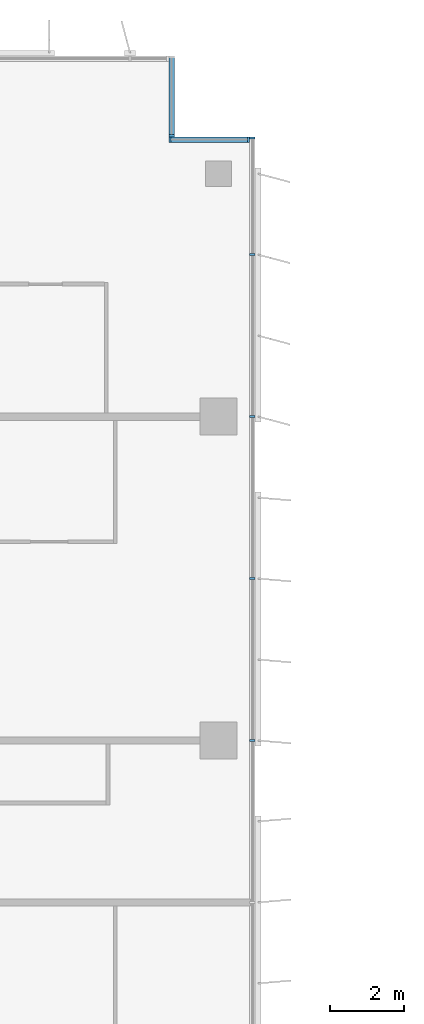
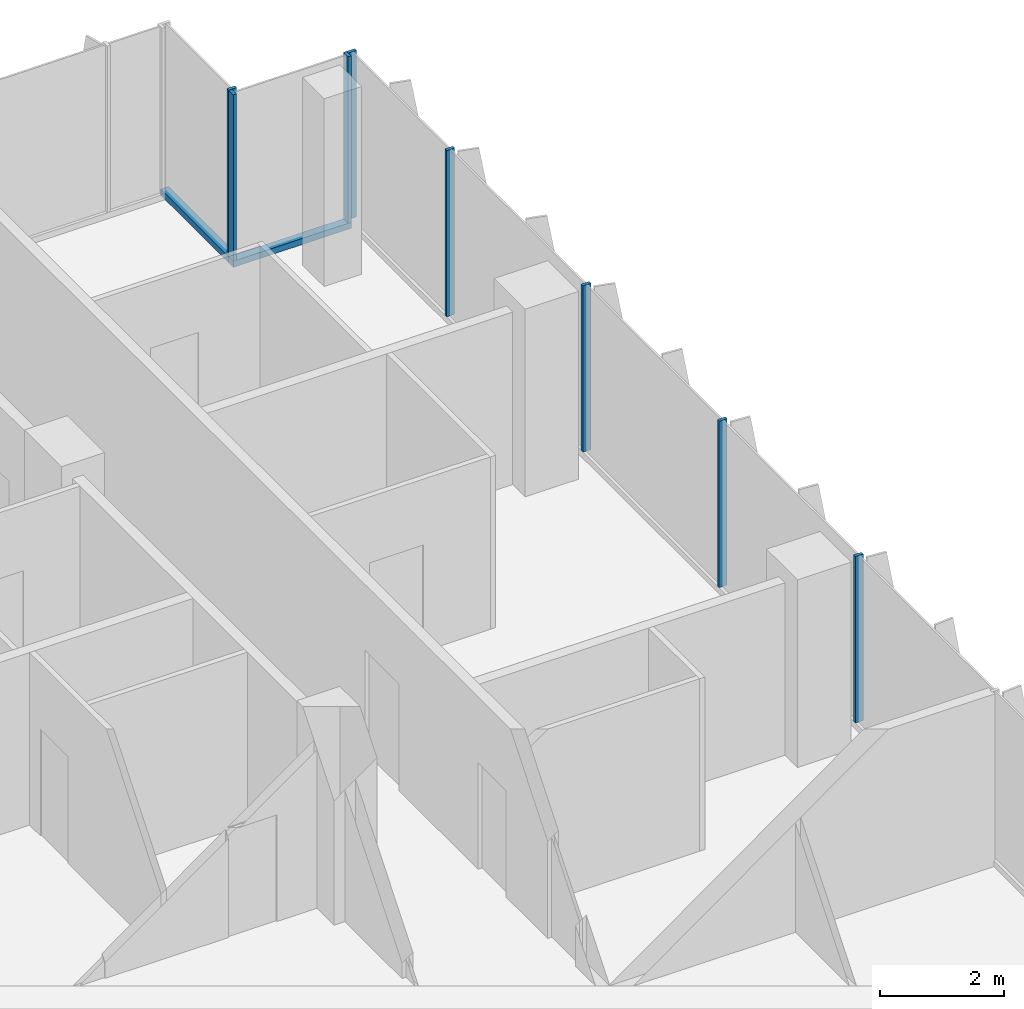
# One storey, part 7 of 21: 10 members, 3 elements without a shape of their own.
"""IFC4 building model written with IfcOpenShell, lengths in metres."""

from ifc_helpers import new_model, si_unit, direction, frame, origin, origin_2d, place, context, subcontext, project, spatial, rectangle, extrude, source, transform, mapped, material, material_profile, profile_set, type_object, element, aggregate, save


model = new_model("IFC4")

# Units and contexts
model_context = context("Model", 3, precision=1e-05, world=origin(), true_north=direction((0.0, 1.0)))
body_context = subcontext(model_context, "Body", "Model", "MODEL_VIEW")
ifc_project = project(units=[si_unit("LENGTHUNIT", "METRE"), si_unit("AREAUNIT", "SQUARE_METRE"), si_unit("VOLUMEUNIT", "CUBIC_METRE"), si_unit("PLANEANGLEUNIT", "RADIAN"), si_unit("MASSUNIT", "GRAM", prefix="KILO")], contexts=[model_context])

# Site, building, storey
site_placement = place(None, origin())
site = spatial("IfcSite", under=ifc_project, at=site_placement, CompositionType="ELEMENT")
building_placement = place(site_placement, origin())
building = spatial("IfcBuilding", under=site, at=building_placement, Name="Kemantara Hotel Tower", CompositionType="ELEMENT")
storey_placement = place(building_placement, frame((0.0, 0.0, 211.699951171875)))
storey = spatial("IfcBuildingStorey", under=building, at=storey_placement, Name="L52", CompositionType="ELEMENT", Elevation=211.699951171875)

# Curtain wall, member
ifc_material_1 = material(Name="Low-E tinted double insulated glass 36 mm", Category="glass")
curtain_wall_type = type_object("IfcCurtainWallType", Name="TOWER CURTAIN WALL, FRONT FACES", PredefinedType="USERDEFINED", material=ifc_material_1)
curtain_wall_1_placement = place(storey_placement, origin())
curtain_wall_1 = element("IfcCurtainWall", 1, at=curtain_wall_1_placement, inside=storey, type_object=curtain_wall_type, Name="CW4 L52 T3-R00-1", ObjectType="TOWER CURTAIN WALL, FRONT FACES", PredefinedType="USERDEFINED")
ifc_material_2 = material(Name="Aluminium 6063-T6 bronze anodised", Category="aluminium")
ifc_material_profile_1 = material_profile(ifc_material_2, rectangle(XDim=0.14990234375, YDim=0.1201171875, at=origin_2d()), Name="TOWER CURTAIN WALL, FRONT FACES TRANSOM")
ifc_profile_set_1 = profile_set([ifc_material_profile_1], Name="Aluminium 6063-T6 bronze anodised")
member_type_1 = type_object("IfcMemberType", Name="TOWER CURTAIN WALL, FRONT FACES TRANSOM", PredefinedType="USERDEFINED", material=ifc_profile_set_1)
member_1_placement = place(storey_placement, frame((21.85009765625, 61.324951171875, 0.06005859375), z_axis=(-1.0, 0.0, 0.0), x_axis=(0.0, -1.0, 0.0)))
member_1 = element("IfcMember", 2, at=member_1_placement, type_object=member_type_1, Name="CW4 sill transom T3-R00-1", ObjectType="TRANSOM", PredefinedType="USERDEFINED", context=body_context, shape_type="SweptSolid", body=[
    extrude(rectangle(XDim=0.14990234375, YDim=0.1201171875, at=origin_2d()), origin(), (0.0, 0.0, 1.0), 2.2001953125),
])

curtain_wall_2_placement = place(storey_placement, origin())
curtain_wall_2 = element("IfcCurtainWall", 3, at=curtain_wall_2_placement, inside=storey, type_object=curtain_wall_type, Name="CW4 L52 T3-R01-1", ObjectType="TOWER CURTAIN WALL, FRONT FACES", PredefinedType="USERDEFINED")
member_2_placement = place(storey_placement, frame((19.72509765625, 61.39990234375, 0.06005859375), z_axis=(0.0, 1.0, 0.0), x_axis=(-1.0, 0.0, 0.0)))
member_2 = element("IfcMember", 4, at=member_2_placement, type_object=member_type_1, Name="CW4 sill transom T3-R01-1", ObjectType="TRANSOM", PredefinedType="USERDEFINED", context=body_context, shape_type="SweptSolid", body=[
    extrude(rectangle(XDim=0.14990234375, YDim=0.1201171875, at=origin_2d()), origin(), (0.0, 0.0, 1.0), 2.2001953125),
])

# Curtain wall, members
curtain_wall_3_placement = place(storey_placement, origin())
curtain_wall_3 = element("IfcCurtainWall", 5, at=curtain_wall_3_placement, inside=storey, type_object=curtain_wall_type, Name="CW4 L52 T3-R17-1", ObjectType="TOWER CURTAIN WALL, FRONT FACES", PredefinedType="USERDEFINED")
ifc_material_profile_2 = material_profile(ifc_material_2, rectangle(XDim=0.14990234375, YDim=0.06005859375, at=origin_2d()), Name="TOWER CURTAIN WALL, FRONT FACES MULLION")
ifc_profile_set_2 = profile_set([ifc_material_profile_2], Name="Aluminium 6063-T6 bronze anodised")
member_type_2 = type_object("IfcMemberType", Name="TOWER CURTAIN WALL, FRONT FACES MULLION", PredefinedType="MULLION", material=ifc_profile_set_2)
shared_shape = source(origin(), body_context, "Body", "SweptSolid", [
    extrude(rectangle(XDim=0.14990234375, YDim=0.06005859375, at=origin_2d()), origin(), (0.0, 0.0, 1.0), 3.280029296875),
])
member_3_placement = place(storey_placement, frame((21.925048828125, 45.0, 0.1201171875), z_axis=(0.0, 0.0, 1.0), x_axis=(-1.0, 0.0, 0.0)))
member_3 = element("IfcMember", 6, at=member_3_placement, type_object=member_type_2, Name="CW4 mullion T3-R17-1.6", PredefinedType="MULLION", context=body_context, shape_type="MappedRepresentation", body=[
    mapped(shared_shape, transform((0.0, 0.0, 0.0))),
])
member_4_placement = place(storey_placement, frame((21.925048828125, 49.39990234375, 0.1201171875), z_axis=(0.0, 0.0, 1.0), x_axis=(-1.0, 0.0, 0.0)))
member_4 = element("IfcMember", 7, at=member_4_placement, type_object=member_type_2, Name="CW4 mullion T3-R17-1.7", PredefinedType="MULLION", context=body_context, shape_type="MappedRepresentation", body=[
    mapped(shared_shape, transform((0.0, 0.0, 0.0))),
])
member_5_placement = place(storey_placement, frame((21.925048828125, 53.800048828125, 0.1201171875), z_axis=(0.0, 0.0, 1.0), x_axis=(-1.0, 0.0, 0.0)))
member_5 = element("IfcMember", 8, at=member_5_placement, type_object=member_type_2, Name="CW4 mullion T3-R17-1.8", PredefinedType="MULLION", context=body_context, shape_type="MappedRepresentation", body=[
    mapped(shared_shape, transform((0.0, 0.0, 0.0))),
])
member_6_placement = place(storey_placement, frame((21.925048828125, 58.199951171875, 0.1201171875), z_axis=(0.0, 0.0, 1.0), x_axis=(-1.0, 0.0, 0.0)))
member_6 = element("IfcMember", 9, at=member_6_placement, type_object=member_type_2, Name="CW4 mullion T3-R17-1.9", PredefinedType="MULLION", context=body_context, shape_type="MappedRepresentation", body=[
    mapped(shared_shape, transform((0.0, 0.0, 0.0))),
])
member_7_placement = place(storey_placement, frame((21.925048828125, 61.3701171875, 0.1201171875), z_axis=(0.0, 0.0, 1.0), x_axis=(-1.0, 0.0, 0.0)))
member_7 = element("IfcMember", 10, at=member_7_placement, type_object=member_type_2, Name="CW4 mullion T3-R17-1.10", PredefinedType="MULLION", context=body_context, shape_type="MappedRepresentation", body=[
    mapped(shared_shape, transform((0.0, 0.0, 0.0))),
])
aggregate(curtain_wall_3, [member_3, member_4, member_5, member_6, member_7])

# Member
member_8_placement = place(storey_placement, frame((21.820068359375, 61.324951171875, 0.1201171875), z_axis=(0.0, 0.0, 1.0), x_axis=(0.0, -1.0, 0.0)))
member_8 = element("IfcMember", 11, at=member_8_placement, type_object=member_type_2, Name="CW4 mullion T3-R00-1.1", PredefinedType="MULLION", context=body_context, shape_type="MappedRepresentation", body=[
    mapped(shared_shape, transform((0.0, 0.0, 0.0))),
])

member_9_placement = place(storey_placement, frame((19.679931640625, 61.324951171875, 0.1201171875), z_axis=(0.0, 0.0, 1.0), x_axis=(0.0, -1.0, 0.0)))
member_9 = element("IfcMember", 12, at=member_9_placement, type_object=member_type_2, Name="CW4 mullion T3-R00-1.2", PredefinedType="MULLION", context=body_context, shape_type="MappedRepresentation", body=[
    mapped(shared_shape, transform((0.0, 0.0, 0.0))),
])

aggregate(curtain_wall_1, [member_1, member_8, member_9])

member_10_placement = place(storey_placement, frame((19.72509765625, 61.429931640625, 0.1201171875), z_axis=(0.0, 0.0, 1.0), x_axis=(-1.0, 0.0, 0.0)))
member_10 = element("IfcMember", 13, at=member_10_placement, type_object=member_type_2, Name="CW4 mullion T3-R01-1.1", PredefinedType="MULLION", context=body_context, shape_type="MappedRepresentation", body=[
    mapped(shared_shape, transform((0.0, 0.0, 0.0))),
])

aggregate(curtain_wall_2, [member_2, member_10])

save(model, "model.ifc")
